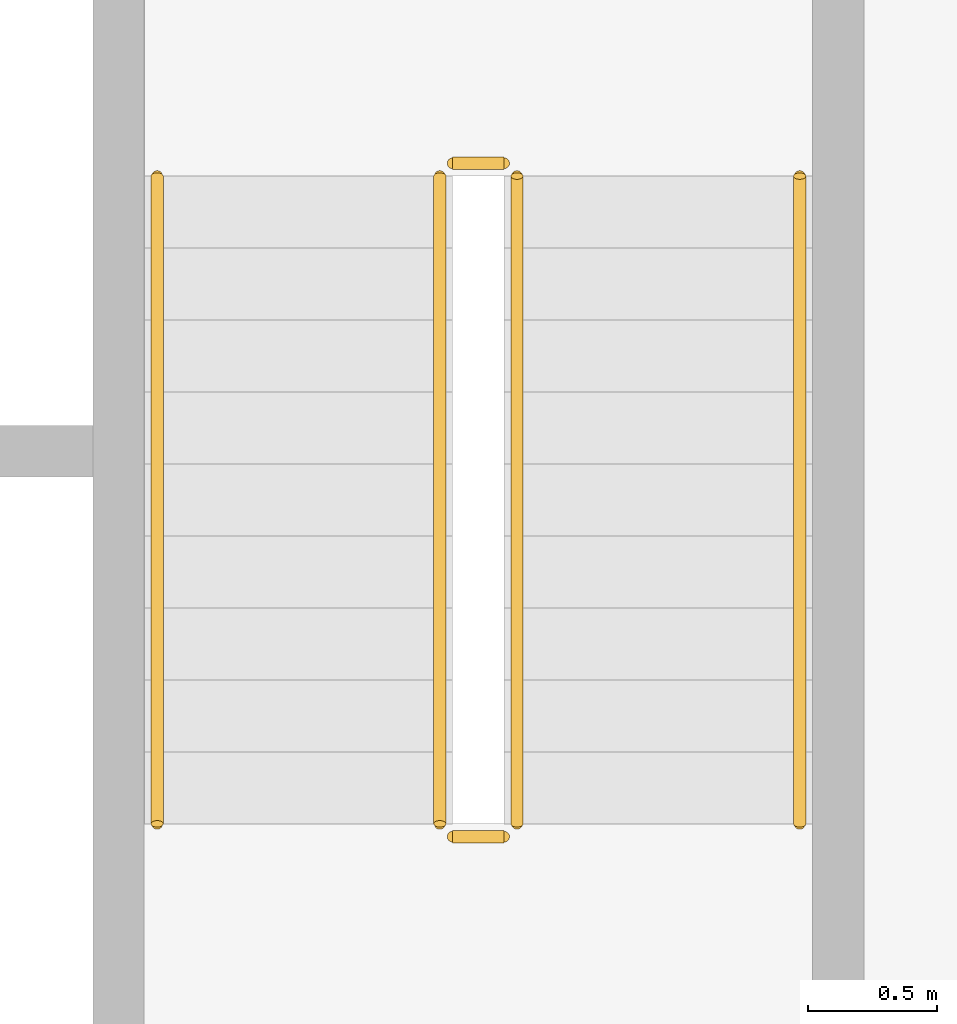
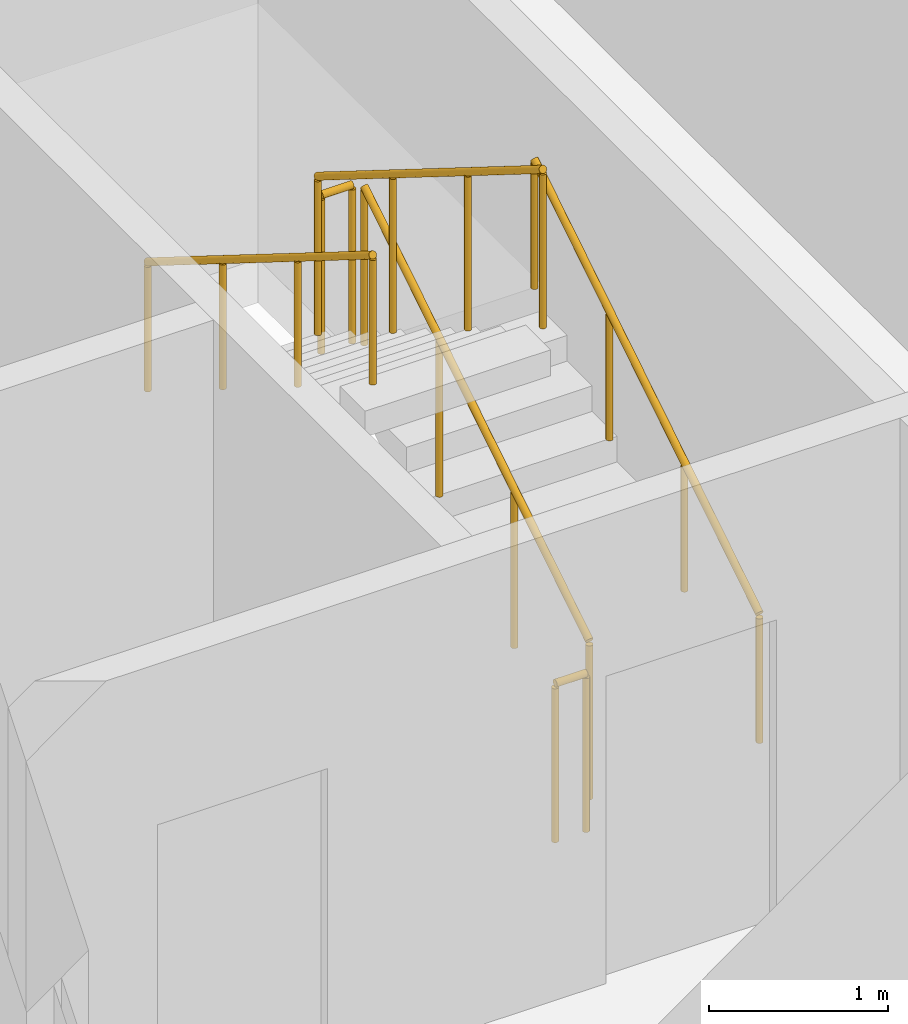
# One storey, part 15 of 19: 6 railings.
"""IFC4 building model written with IfcOpenShell, lengths in metres."""

import ifcopenshell
import ifcopenshell.guid

model = None  # the IFC model being written
_history = None  # IfcOwnerHistory: only IFC2X3 demands one
_inside = {}  # id of a spatial element -> (the spatial element, [elements in it])
_under = {}  # id of a project, library or spatial element -> (it, [spatial elements below it])
_declared = {}  # id of a project -> (the project, [libraries it declares])
_typed = {}  # id of a type object -> (the type object, [elements of that type])
_made_of = {}  # id of a material, layer set ... -> (it, [elements and type objects made of it])


def new_model(schema):
    """Start an empty IFC model of exactly this schema.

    Asked for "IFC4X3", IfcOpenShell would pick the latest addendum, in which some entities
    have other attributes; the version numbers below select the first issue.
    IFC2X3 requires an IfcOwnerHistory on every rooted entity: one is made here for all.
    """
    global model, _history
    if schema == "IFC4X3":
        model = ifcopenshell.file(schema_version=(4, 3, 0, 0))
    else:
        model = ifcopenshell.file(schema=schema)
    _inside.clear()
    _under.clear()
    _declared.clear()
    _typed.clear()
    _made_of.clear()
    _history = None
    if model.schema == "IFC2X3":
        org = make("IfcOrganization", Name="unknown")
        user = make(
            "IfcPersonAndOrganization",
            ThePerson=make("IfcPerson", FamilyName="unknown"),
            TheOrganization=org,
        )
        app = make(
            "IfcApplication",
            ApplicationDeveloper=org,
            Version="unknown",
            ApplicationFullName="unknown",
            ApplicationIdentifier="unknown",
        )
        _history = make(
            "IfcOwnerHistory",
            OwningUser=user,
            OwningApplication=app,
            ChangeAction="ADDED",
            CreationDate=0,
        )
    return model


def make(cls, **values):
    """One entity of the class cls with the attributes given. An attribute that is None is left unset."""
    return model.create_entity(
        cls, **{name: value for name, value in values.items() if value is not None}
    )


def rooted(cls, **values):
    """An entity with a GlobalId (a new one), such as an element, a storey or a relation."""
    return make(cls, GlobalId=ifcopenshell.guid.new(), OwnerHistory=_history, **values)


def si_unit(unit_type, name, prefix=None):
    """IfcSIUnit, for example si_unit("LENGTHUNIT", "METRE", prefix="MILLI")."""
    return make("IfcSIUnit", UnitType=unit_type, Prefix=prefix, Name=name)


def assignment(units):
    """IfcUnitAssignment: the units of a project."""
    return None if units is None else make("IfcUnitAssignment", Units=units)


def point(xyz):
    """IfcCartesianPoint."""
    return None if xyz is None else make("IfcCartesianPoint", Coordinates=xyz)


def direction(xyz):
    """IfcDirection."""
    return None if xyz is None else make("IfcDirection", DirectionRatios=xyz)


def frame(location, z_axis=None, x_axis=None):
    """IfcAxis2Placement3D, a coordinate frame: its origin and axes. An axis left out is left unset."""
    return make(
        "IfcAxis2Placement3D",
        Location=point(location),
        Axis=direction(z_axis),
        RefDirection=direction(x_axis),
    )


def frame_2d(location, x_axis=None):
    """IfcAxis2Placement2D, a coordinate frame in the plane: its origin and x axis."""
    return make(
        "IfcAxis2Placement2D", Location=point(location), RefDirection=direction(x_axis)
    )


def origin():
    """The frame at (0, 0, 0) with its axes left unset."""
    return frame((0.0, 0.0, 0.0))


def origin_2d():
    """The frame at (0, 0) in the plane with its x axis left unset."""
    return frame_2d((0.0, 0.0))


def place(relative_to, where):
    """IfcLocalPlacement: puts the frame where relative to a parent placement (None: the world)."""
    return make(
        "IfcLocalPlacement", PlacementRelTo=relative_to, RelativePlacement=where
    )


def context(
    kind, dimensions, precision=None, world=None, true_north=None, identifier=None
):
    """IfcGeometricRepresentationContext, for example the 3D "Model" context."""
    return make(
        "IfcGeometricRepresentationContext",
        ContextIdentifier=identifier,
        ContextType=kind,
        CoordinateSpaceDimension=dimensions,
        Precision=precision,
        WorldCoordinateSystem=world,
        TrueNorth=true_north,
    )


def subcontext(parent, identifier, kind, view, scale=None):
    """IfcGeometricRepresentationSubContext, for example "Body" below "Model"."""
    return make(
        "IfcGeometricRepresentationSubContext",
        ContextIdentifier=identifier,
        ContextType=kind,
        ParentContext=parent,
        TargetScale=scale,
        TargetView=view,
    )


def project(units=None, contexts=None):
    """IfcProject with its units and contexts."""
    return rooted(
        "IfcProject",
        Name="project",
        RepresentationContexts=contexts,
        UnitsInContext=assignment(units),
    )


def spatial(cls, under=None, at=None, **own):
    """A site, building, storey or space (cls), placed at a placement, below another one or the project."""
    s = rooted(cls, ObjectPlacement=at, **own)
    if under is not None:
        _under.setdefault(under.id(), (under, []))[1].append(s)
    return s


def profile(cls, at=None, kind="AREA", **sizes):
    """A parametric profile (cls). Its sizes go by their IFC names, for example OverallWidth=200.0."""
    return make(cls, ProfileType=kind, Position=at, **sizes)


def circle(**sizes):
    """IfcCircleProfileDef."""
    return profile("IfcCircleProfileDef", **sizes)


def extrude(swept, where, along, depth):
    """IfcExtrudedAreaSolid: the profile swept, set in the frame where, extruded along a direction by depth."""
    return make(
        "IfcExtrudedAreaSolid",
        SweptArea=swept,
        Position=where,
        ExtrudedDirection=direction(along),
        Depth=depth,
    )


def shape(context_of_items, identifier, shape_type, items):
    """IfcShapeRepresentation: the items that make up one representation, for example the "Body"."""
    return make(
        "IfcShapeRepresentation",
        ContextOfItems=context_of_items,
        RepresentationIdentifier=identifier,
        RepresentationType=shape_type,
        Items=items,
    )


def material(Name=None, Category=None):
    """IfcMaterial."""
    return make("IfcMaterial", Name=Name, Category=Category)


def made_of(thing, what):
    """Note that an element or type object is made of a material, layer set ...; save() writes the relation."""
    if what is not None:
        _made_of.setdefault(what.id(), (what, []))[1].append(thing)
    return thing


def type_object(cls, material=None, **own):
    """A type object (cls), such as IfcWallType, which elements share."""
    return made_of(rooted(cls, **own), material)


def element(
    cls,
    number,
    at=None,
    inside=None,
    cuts=None,
    type_object=None,
    material=None,
    context=None,
    identifier="Body",
    shape_type=None,
    held_by="IfcProductDefinitionShape",
    body=None,
    shapes=None,
    **own,
):
    """One element of the class cls, such as IfcWall. Its Tag is "e" and its number.

    at: its placement. inside: the storey or other place that contains it. cuts: it is an
    opening in that element (IfcRelVoidsElement). A single representation is given by context,
    identifier, shape_type and body (its items); several are given by shapes. held_by: the class
    of the entity that holds the representations. save() writes the other relations.
    """
    e = rooted(cls, Tag="e%d" % number, ObjectPlacement=at, **own)
    if body is not None:
        shapes = [shape(context, identifier, shape_type, body)]
    if shapes is not None:
        e.Representation = make(held_by, Representations=shapes)
    if inside is not None:
        _inside.setdefault(inside.id(), (inside, []))[1].append(e)
    if cuts is not None:
        rooted(
            "IfcRelVoidsElement", RelatingBuildingElement=cuts, RelatedOpeningElement=e
        )
    if type_object is not None:
        _typed.setdefault(type_object.id(), (type_object, []))[1].append(e)
    return made_of(e, material)


def aggregate(whole, parts):
    """IfcRelAggregates: a whole, such as a stair, and the parts it consists of."""
    return rooted("IfcRelAggregates", RelatingObject=whole, RelatedObjects=parts)


def save(model, path):
    """Write the relations noted so far, then the file.

    IfcRelAggregates (storeys below a building ...), IfcRelContainedInSpatialStructure (elements
    in a storey), IfcRelDefinesByType, IfcRelAssociatesMaterial and IfcRelDeclares: one each for
    every whole, place, type object, material and project.
    """
    for whole, parts in _under.values():
        aggregate(whole, parts)
    for where, things in _inside.values():
        rooted(
            "IfcRelContainedInSpatialStructure",
            RelatedElements=things,
            RelatingStructure=where,
        )
    for kind, things in _typed.values():
        rooted("IfcRelDefinesByType", RelatedObjects=things, RelatingType=kind)
    for what, things in _made_of.values():
        rooted("IfcRelAssociatesMaterial", RelatedObjects=things, RelatingMaterial=what)
    for by, libraries in _declared.values():
        rooted("IfcRelDeclares", RelatingContext=by, RelatedDefinitions=libraries)
    model.write(path)


model = new_model("IFC4")

# Units and contexts
model_context = context("Model", 3, precision=1e-05, world=origin(), true_north=direction((0.0, 1.0)))
body_context = subcontext(model_context, "Body", "Model", "MODEL_VIEW")
ifc_project = project(units=[si_unit("LENGTHUNIT", "METRE"), si_unit("AREAUNIT", "SQUARE_METRE"), si_unit("VOLUMEUNIT", "CUBIC_METRE"), si_unit("PLANEANGLEUNIT", "RADIAN"), si_unit("MASSUNIT", "GRAM", prefix="KILO")], contexts=[model_context])

# Site, building, storey
site_placement = place(None, origin())
site = spatial("IfcSite", under=ifc_project, at=site_placement, CompositionType="ELEMENT")
building_placement = place(site_placement, origin())
building = spatial("IfcBuilding", under=site, at=building_placement, Name="Kiln Ring Residences", CompositionType="ELEMENT")
storey_placement = place(building_placement, frame((0.0, 0.0, 104.300048828125)))
storey = spatial("IfcBuildingStorey", under=building, at=storey_placement, Name="L26", CompositionType="ELEMENT", Elevation=104.300048828125)

# Railings
ifc_material_1 = material(Name="Stainless steel", Category="steel")
railing_type_1 = type_object("IfcRailingType", Name="CORE-STAIR-GUARD", PredefinedType="GUARDRAIL", material=ifc_material_1)
railing_1_placement = place(storey_placement, frame((22.25, -8.39990234375, 0.175048828125)))
element("IfcRailing", 1, at=railing_1_placement, inside=storey, type_object=railing_type_1, Name="L26 E-STS stair guard 1", PredefinedType="GUARDRAIL", context=body_context, shape_type="SweptSolid", body=[
    extrude(circle(Radius=0.02392578125, at=origin_2d()), frame((0.0, 0.0, 1.076171875), z_axis=(0.0, 0.848007534815, 0.529984170421), x_axis=(-1.0, 0.0, 0.0)), (0.0, 0.0, 1.0), 2.9716796875),
    extrude(circle(Radius=0.02099609375, at=origin_2d()), origin(), (0.0, 0.0, 1.0), 1.052001953125),
    extrude(circle(Radius=0.02099609375, at=origin_2d()), frame((0.0, 0.840087890625, 0.52490234375)), (0.0, 0.0, 1.0), 1.052001953125),
    extrude(circle(Radius=0.02099609375, at=origin_2d()), frame((0.0, 1.679931640625, 1.050048828125)), (0.0, 0.0, 1.0), 1.052001953125),
    extrude(circle(Radius=0.02099609375, at=origin_2d()), frame((0.0, 2.52001953125, 1.574951171875)), (0.0, 0.0, 1.0), 1.052001953125),
])
railing_2_placement = place(storey_placement, frame((22.199951171875, -5.830078125, 1.75)))
element("IfcRailing", 2, at=railing_2_placement, inside=storey, type_object=railing_type_1, Name="L26 E-STS stair guard 2", PredefinedType="GUARDRAIL", context=body_context, shape_type="SweptSolid", body=[
    extrude(circle(Radius=0.02392578125, at=origin_2d()), frame((0.0, 0.0, 1.076171875), z_axis=(-1.0, 0.0, 0.0), x_axis=(0.0, -1.0, 0.0)), (0.0, 0.0, 1.0), 0.199951171875),
    extrude(circle(Radius=0.02099609375, at=origin_2d()), origin(), (0.0, 0.0, 1.0), 1.052001953125),
    extrude(circle(Radius=0.02099609375, at=origin_2d()), frame((-0.199951171875, 0.0, 0.0)), (0.0, 0.0, 1.0), 1.052001953125),
])
railing_3_placement = place(storey_placement, frame((21.949951171875, -5.8798828125, 1.925048828125)))
element("IfcRailing", 3, at=railing_3_placement, inside=storey, type_object=railing_type_1, Name="L26 E-STS stair guard 3", PredefinedType="GUARDRAIL", context=body_context, shape_type="SweptSolid", body=[
    extrude(circle(Radius=0.02392578125, at=origin_2d()), frame((0.0, 0.0, 1.076171875), z_axis=(0.0, -0.848007534815, 0.529984170421), x_axis=(1.0, 0.0, 0.0)), (0.0, 0.0, 1.0), 2.9716796875),
    extrude(circle(Radius=0.02099609375, at=origin_2d()), origin(), (0.0, 0.0, 1.0), 1.052001953125),
    extrude(circle(Radius=0.02099609375, at=origin_2d()), frame((0.0, -0.840087890625, 0.52490234375)), (0.0, 0.0, 1.0), 1.052001953125),
    extrude(circle(Radius=0.02099609375, at=origin_2d()), frame((0.0, -1.679931640625, 1.050048828125)), (0.0, 0.0, 1.0), 1.052001953125),
    extrude(circle(Radius=0.02099609375, at=origin_2d()), frame((0.0, -2.52001953125, 1.574951171875)), (0.0, 0.0, 1.0), 1.052001953125),
])
railing_4_placement = place(storey_placement, frame((22.199951171875, -8.449951171875, 0.0)))
element("IfcRailing", 4, at=railing_4_placement, inside=storey, type_object=railing_type_1, Name="L26 E-STS stair guard 4", PredefinedType="GUARDRAIL", context=body_context, shape_type="SweptSolid", body=[
    extrude(circle(Radius=0.02392578125, at=origin_2d()), frame((0.0, 0.0, 1.076171875), z_axis=(-1.0, 0.0, 0.0), x_axis=(0.0, -1.0, 0.0)), (0.0, 0.0, 1.0), 0.199951171875),
    extrude(circle(Radius=0.02099609375, at=origin_2d()), origin(), (0.0, 0.0, 1.0), 1.052001953125),
    extrude(circle(Radius=0.02099609375, at=origin_2d()), frame((-0.199951171875, 0.0, 0.0)), (0.0, 0.0, 1.0), 1.052001953125),
])
ifc_material_2 = material(Name="Stainless steel", Category="steel")
railing_type_2 = type_object("IfcRailingType", Name="CORE-STAIR-HANDRAIL", PredefinedType="HANDRAIL", material=ifc_material_2)
railing_5_placement = place(storey_placement, frame((23.35009765625, -8.39990234375, 0.175048828125)))
element("IfcRailing", 5, at=railing_5_placement, inside=storey, type_object=railing_type_2, Name="L26 E-STS stair handrail 1", PredefinedType="HANDRAIL", context=body_context, shape_type="SweptSolid", body=[
    extrude(circle(Radius=0.02392578125, at=origin_2d()), frame((0.0, 0.0, 0.8759765625), z_axis=(0.0, 0.848007534815, 0.529984170421), x_axis=(-1.0, 0.0, 0.0)), (0.0, 0.0, 1.0), 2.9716796875),
    extrude(circle(Radius=0.02099609375, at=origin_2d()), origin(), (0.0, 0.0, 1.0), 0.851806640625),
    extrude(circle(Radius=0.02099609375, at=origin_2d()), frame((0.0, 0.840087890625, 0.52490234375)), (0.0, 0.0, 1.0), 0.851806640625),
    extrude(circle(Radius=0.02099609375, at=origin_2d()), frame((0.0, 1.679931640625, 1.050048828125)), (0.0, 0.0, 1.0), 0.851806640625),
    extrude(circle(Radius=0.02099609375, at=origin_2d()), frame((0.0, 2.52001953125, 1.574951171875)), (0.0, 0.0, 1.0), 0.851806640625),
])
railing_6_placement = place(storey_placement, frame((20.85009765625, -5.8798828125, 1.925048828125)))
element("IfcRailing", 6, at=railing_6_placement, inside=storey, type_object=railing_type_2, Name="L26 E-STS stair handrail 2", PredefinedType="HANDRAIL", context=body_context, shape_type="SweptSolid", body=[
    extrude(circle(Radius=0.02392578125, at=origin_2d()), frame((0.0, 0.0, 0.8759765625), z_axis=(0.0, -0.848007534815, 0.529984170421), x_axis=(1.0, 0.0, 0.0)), (0.0, 0.0, 1.0), 2.9716796875),
    extrude(circle(Radius=0.02099609375, at=origin_2d()), origin(), (0.0, 0.0, 1.0), 0.851806640625),
    extrude(circle(Radius=0.02099609375, at=origin_2d()), frame((0.0, -0.840087890625, 0.52490234375)), (0.0, 0.0, 1.0), 0.851806640625),
    extrude(circle(Radius=0.02099609375, at=origin_2d()), frame((0.0, -1.679931640625, 1.050048828125)), (0.0, 0.0, 1.0), 0.851806640625),
    extrude(circle(Radius=0.02099609375, at=origin_2d()), frame((0.0, -2.52001953125, 1.574951171875)), (0.0, 0.0, 1.0), 0.851806640625),
])

save(model, "model.ifc")
